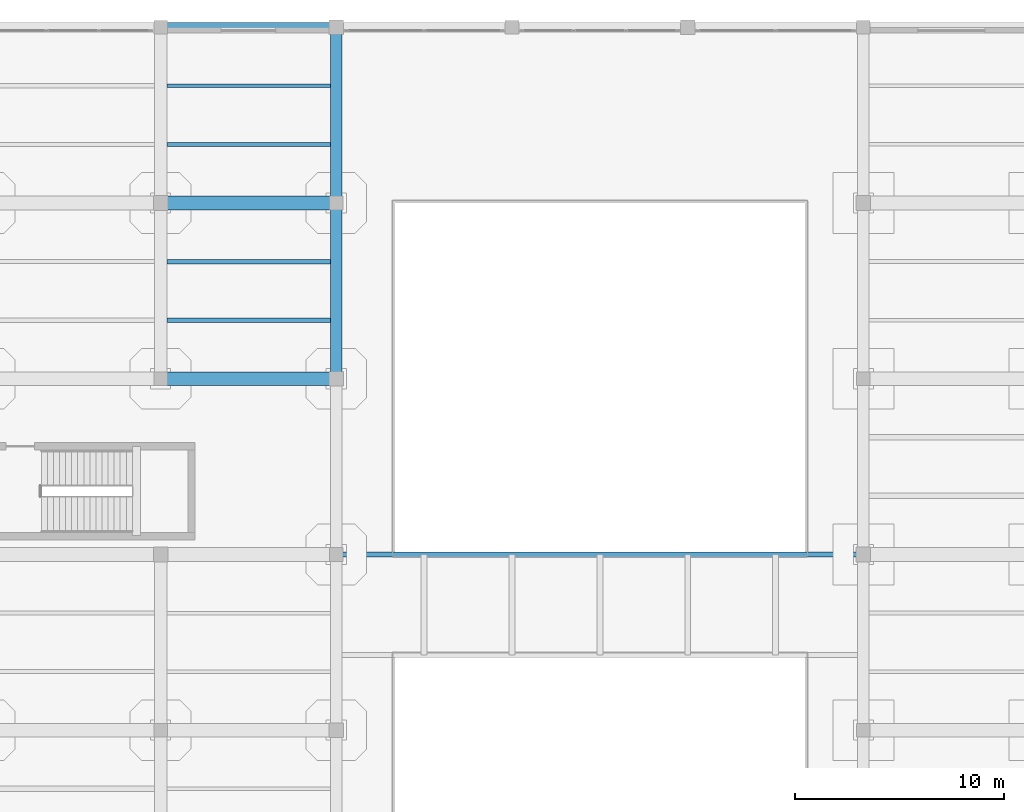
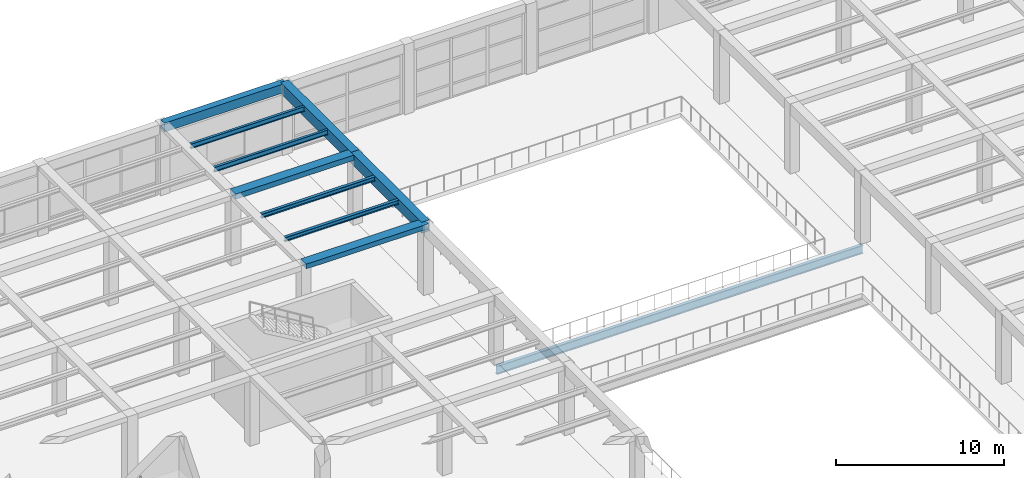
# One storey, part 43 of 95: 10 beams.
"""IFC4 building model written with IfcOpenShell, lengths in metres."""

from ifc_helpers import new_model, si_unit, direction, frame, origin, origin_2d, place, context, subcontext, project, spatial, rectangle, i_section, extrude, material, material_profile, profile_set, type_object, element, save


model = new_model("IFC4")

# Units and contexts
model_context = context("Model", 3, precision=1e-05, world=origin(), true_north=direction((0.0, 1.0)))
body_context = subcontext(model_context, "Body", "Model", "MODEL_VIEW")
ifc_project = project(units=[si_unit("LENGTHUNIT", "METRE"), si_unit("AREAUNIT", "SQUARE_METRE"), si_unit("VOLUMEUNIT", "CUBIC_METRE"), si_unit("PLANEANGLEUNIT", "RADIAN"), si_unit("MASSUNIT", "GRAM", prefix="KILO")], contexts=[model_context])

# Site, building, storey
site_placement = place(None, origin())
site = spatial("IfcSite", under=ifc_project, at=site_placement, CompositionType="ELEMENT")
building_placement = place(site_placement, origin())
building = spatial("IfcBuilding", under=site, at=building_placement, Name="Almacenes y Pasaje Nevantli", CompositionType="ELEMENT")
storey_placement = place(building_placement, frame((0.0, 0.0, 11.39990234375)))
storey = spatial("IfcBuildingStorey", under=building, at=storey_placement, Name="L03", CompositionType="ELEMENT", Elevation=11.39990234375)

# Beams
ifc_material_1 = material(Name="Concrete C35/45", Category="concrete")
ifc_material_profile_1 = material_profile(ifc_material_1, rectangle(XDim=0.449951171875, YDim=0.64990234375, at=origin_2d()), Name="RC-BM-450x650")
ifc_profile_set_1 = profile_set([ifc_material_profile_1], Name="Concrete C35/45")
beam_type_1 = type_object("IfcBeamType", Name="BM-RC-450x650", PredefinedType="SPANDREL", material=ifc_profile_set_1)
beam_1_placement = place(storey_placement, frame((58.800048828125, 117.60009765625, 4.775146484375), z_axis=(1.0, 0.0, 0.0), x_axis=(0.0, 1.0, 0.0)))
element("IfcBeam", 1, at=beam_1_placement, inside=storey, type_object=beam_type_1, Name="L03 East-West Reinforced Concrete Beam #2467", PredefinedType="SPANDREL", context=body_context, shape_type="SweptSolid", body=[
    extrude(rectangle(XDim=0.449951171875, YDim=0.64990234375, at=origin_2d()), origin(), (0.0, 0.0, 1.0), 8.39990234375),
])
ifc_material_2 = material(Name="Concrete C35/45", Category="concrete")
ifc_material_profile_2 = material_profile(ifc_material_2, rectangle(XDim=0.550048828125, YDim=0.800048828125, at=origin_2d()), Name="RC-BM-550x800")
ifc_profile_set_2 = profile_set([ifc_material_profile_2], Name="Concrete C35/45")
beam_type_2 = type_object("IfcBeamType", Name="BM-RC-550x800", PredefinedType="BEAM", material=ifc_profile_set_2)
beam_2_placement = place(storey_placement, frame((67.199951171875, 100.800048828125, 4.7001953125), z_axis=(0.0, 1.0, 0.0), x_axis=(-1.0, 0.0, 0.0)))
element("IfcBeam", 2, at=beam_2_placement, inside=storey, type_object=beam_type_2, Name="L03 North-South Reinforced Concrete Beam #2580", PredefinedType="BEAM", context=body_context, shape_type="SweptSolid", body=[
    extrude(rectangle(XDim=0.550048828125, YDim=0.800048828125, at=origin_2d()), origin(), (0.0, 0.0, 1.0), 8.39990234375),
])
beam_3_placement = place(storey_placement, frame((67.199951171875, 109.199951171875, 4.7001953125), z_axis=(0.0, 1.0, 0.0), x_axis=(-1.0, 0.0, 0.0)))
element("IfcBeam", 3, at=beam_3_placement, inside=storey, type_object=beam_type_2, Name="L03 North-South Reinforced Concrete Beam #2581", PredefinedType="BEAM", context=body_context, shape_type="SweptSolid", body=[
    extrude(rectangle(XDim=0.550048828125, YDim=0.800048828125, at=origin_2d()), origin(), (0.0, 0.0, 1.0), 8.400146484375),
])
ifc_material_3 = material(Name="Concrete C35/45", Category="concrete")
ifc_material_profile_3 = material_profile(ifc_material_3, rectangle(XDim=0.64990234375, YDim=0.35009765625, at=origin_2d()), Name="RC-BM-650x350")
ifc_profile_set_3 = profile_set([ifc_material_profile_3], Name="Concrete C35/45")
beam_type_3 = type_object("IfcBeamType", Name="BM-RC-650x350", PredefinedType="BEAM", material=ifc_profile_set_3)
beam_4_placement = place(storey_placement, frame((58.800048828125, 100.800048828125, 4.925048828125), z_axis=(1.0, 0.0, 0.0), x_axis=(0.0, 1.0, 0.0)))
element("IfcBeam", 4, at=beam_4_placement, inside=storey, type_object=beam_type_3, Name="L03 East-West Reinforced Concrete Beam #2433", PredefinedType="BEAM", context=body_context, shape_type="SweptSolid", body=[
    extrude(rectangle(XDim=0.64990234375, YDim=0.35009765625, at=origin_2d()), origin(), (0.0, 0.0, 1.0), 8.39990234375),
])
ifc_material_4 = material(Name="Concrete C35/45", Category="concrete")
ifc_material_profile_4 = material_profile(ifc_material_4, rectangle(XDim=0.64990234375, YDim=0.3798828125, at=origin_2d()), Name="RC-BM-650x380")
ifc_profile_set_4 = profile_set([ifc_material_profile_4], Name="Concrete C35/45")
beam_type_4 = type_object("IfcBeamType", Name="BM-RC-650x380", PredefinedType="BEAM", material=ifc_profile_set_4)
beam_5_placement = place(storey_placement, frame((58.800048828125, 109.199951171875, 4.91015625), z_axis=(1.0, 0.0, 0.0), x_axis=(0.0, 1.0, 0.0)))
element("IfcBeam", 5, at=beam_5_placement, inside=storey, type_object=beam_type_4, Name="L03 East-West Reinforced Concrete Beam #2450", PredefinedType="BEAM", context=body_context, shape_type="SweptSolid", body=[
    extrude(rectangle(XDim=0.64990234375, YDim=0.3798828125, at=origin_2d()), origin(), (0.0, 0.0, 1.0), 8.39990234375),
])
ifc_material_5 = material(Name="Steel ASTM A992", Category="steel")
ifc_material_profile_5 = material_profile(ifc_material_5, i_section(OverallWidth=0.205078125, OverallDepth=0.31005859375, WebThickness=0.009521484375, FlangeThickness=0.016357421875, at=origin_2d()), Name="IR 305x74.4")
ifc_profile_set_5 = profile_set([ifc_material_profile_5], Name="Steel ASTM A992")
beam_type_5 = type_object("IfcBeamType", Name="BM-STL-IR-305x74p4", PredefinedType="JOIST", material=ifc_profile_set_5)
for number, where, z_axis, x_axis, name in (
    (6, (59.10009765625, 103.60009765625, 4.93701171875), (1.0, 0.0, 0.0), (0.0, 1.0, 0.0), "L03 Secondary Steel Floor Joist #791"),
    (7, (59.10009765625, 106.39990234375, 4.93701171875), (1.0, 0.0, 0.0), (0.0, 1.0, 0.0), "L03 Secondary Steel Floor Joist #792"),
):
    element("IfcBeam", number, at=place(storey_placement, frame(where, z_axis=z_axis, x_axis=x_axis)), inside=storey, type_object=beam_type_5, Name=name, PredefinedType="JOIST", context=body_context, shape_type="SweptSolid", body=[
        extrude(i_section(OverallWidth=0.205078125, OverallDepth=0.31005859375, WebThickness=0.009521484375, FlangeThickness=0.016357421875, at=origin_2d()), origin(), (0.0, 0.0, 1.0), 7.824951171875),
    ])
ifc_material_6 = material(Name="Steel ASTM A992", Category="steel")
ifc_material_profile_6 = material_profile(ifc_material_6, i_section(OverallWidth=0.173095703125, OverallDepth=0.35302734375, WebThickness=0.0078125, FlangeThickness=0.01318359375, at=origin_2d()), Name="IR 356x56.6")
ifc_profile_set_6 = profile_set([ifc_material_profile_6], Name="Steel ASTM A992")
beam_type_6 = type_object("IfcBeamType", Name="BM-STL-IR-356x56p6", PredefinedType="JOIST", material=ifc_profile_set_6)
for number, where, z_axis, x_axis, name in (
    (8, (59.10009765625, 112.0, 4.91552734375), (1.0, 0.0, 0.0), (0.0, 1.0, 0.0), "L03 Secondary Steel Floor Joist #793"),
    (9, (59.10009765625, 114.800048828125, 4.91552734375), (1.0, 0.0, 0.0), (0.0, 1.0, 0.0), "L03 Secondary Steel Floor Joist #794"),
):
    element("IfcBeam", number, at=place(storey_placement, frame(where, z_axis=z_axis, x_axis=x_axis)), inside=storey, type_object=beam_type_6, Name=name, PredefinedType="JOIST", context=body_context, shape_type="SweptSolid", body=[
        extrude(i_section(OverallWidth=0.173095703125, OverallDepth=0.35302734375, WebThickness=0.0078125, FlangeThickness=0.01318359375, at=origin_2d()), origin(), (0.0, 0.0, 1.0), 7.824951171875),
    ])
ifc_material_7 = material(Name="Steel ASTM A992", Category="steel")
ifc_material_profile_7 = material_profile(ifc_material_7, i_section(OverallWidth=0.22802734375, OverallDepth=0.60693359375, WebThickness=0.01123046875, FlangeThickness=0.017333984375, at=origin_2d()), Name="IR 610x113.0")
ifc_profile_set_7 = profile_set([ifc_material_profile_7], Name="Steel ASTM A992")
beam_type_7 = type_object("IfcBeamType", Name="BM-STL-IR-610x113p0", PredefinedType="BEAM", material=ifc_profile_set_7)
beam_6_placement = place(storey_placement, frame((67.199951171875, 92.39990234375, -0.611328125), z_axis=(1.0, 0.0, 0.0), x_axis=(0.0, 1.0, 0.0)))
element("IfcBeam", 10, at=beam_6_placement, inside=storey, type_object=beam_type_7, Name="L03 Arcade Gallery Bridge Steel Girder BRG-ARC-3.2", PredefinedType="BEAM", context=body_context, shape_type="SweptSolid", body=[
    extrude(i_section(OverallWidth=0.22802734375, OverallDepth=0.60693359375, WebThickness=0.01123046875, FlangeThickness=0.017333984375, at=origin_2d()), origin(), (0.0, 0.0, 1.0), 25.199951171875),
])

save(model, "model.ifc")
